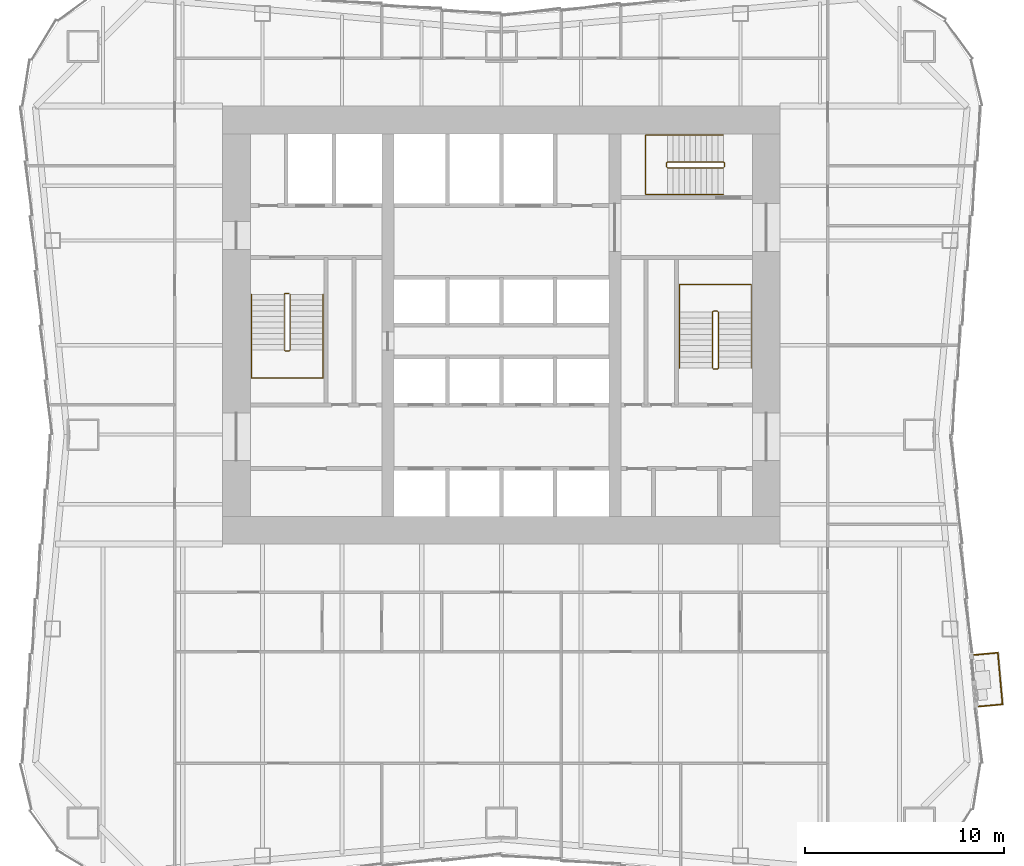
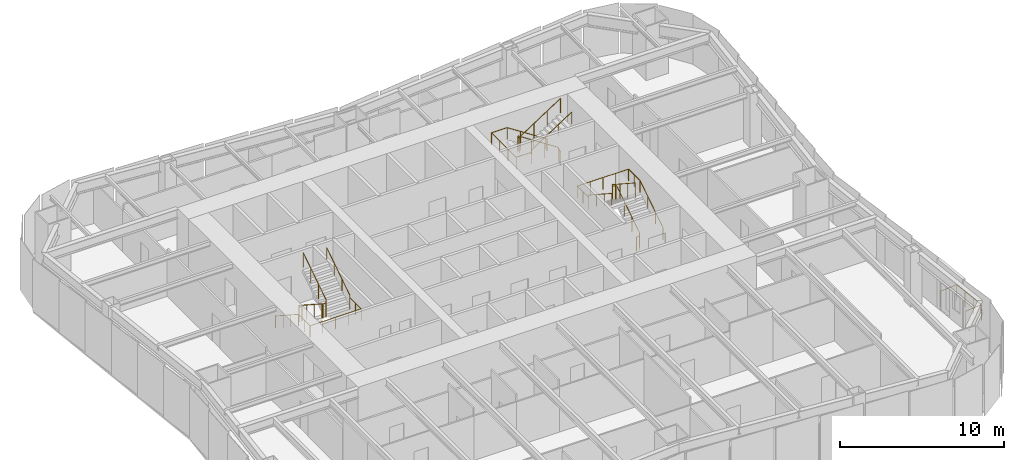
# One storey, part 8 of 9: 7 railings.
"""IFC4 building model written with IfcOpenShell, lengths in metres."""

from ifc_helpers import new_model, si_unit, direction, frame, origin, origin_2d, place, context, subcontext, project, spatial, circle, extrude, material, type_object, element, save


model = new_model("IFC4")

# Units and contexts
model_context = context("Model", 3, precision=1e-05, world=origin(), true_north=direction((0.0, 1.0)))
body_context = subcontext(model_context, "Body", "Model", "MODEL_VIEW")
ifc_project = project(units=[si_unit("LENGTHUNIT", "METRE"), si_unit("AREAUNIT", "SQUARE_METRE"), si_unit("VOLUMEUNIT", "CUBIC_METRE"), si_unit("PLANEANGLEUNIT", "RADIAN"), si_unit("MASSUNIT", "GRAM", prefix="KILO")], contexts=[model_context])

# Site, building, storey
site_placement = place(None, origin())
site = spatial("IfcSite", under=ifc_project, at=site_placement, CompositionType="ELEMENT")
building_placement = place(site_placement, origin())
building = spatial("IfcBuilding", under=site, at=building_placement, Name="Verdant Reach Tower", CompositionType="ELEMENT")
storey_placement = place(building_placement, frame((0.0, 0.0, 30.0)))
storey = spatial("IfcBuildingStorey", under=building, at=storey_placement, Name="L06", CompositionType="ELEMENT", Elevation=30.0)

# Railings
ifc_material_1 = material(Name="Stainless steel", Category="steel")
railing_type_1 = type_object("IfcRailingType", Name="CO-GUARD", PredefinedType="GUARDRAIL", material=ifc_material_1)
railing_1_placement = place(storey_placement, frame((-10.64990234375, 29.60009765625, 0.0)))
element("IfcRailing", 1, at=railing_1_placement, inside=storey, type_object=railing_type_1, Name="L06 ST-1 stair guard 1", PredefinedType="GUARDRAIL", context=body_context, shape_type="SweptSolid", body=[
    extrude(circle(Radius=0.02392578125, at=origin_2d()), frame((0.0, 0.0, 1.076171875), z_axis=(-1.0, 0.0, 0.0), x_axis=(0.0, -1.0, 0.0)), (0.0, 0.0, 1.0), 0.2001953125),
    extrude(circle(Radius=0.02392578125, at=origin_2d()), frame((-0.2001953125, 0.0, 1.076171875), z_axis=(-0.25526617399, -0.256517478764, 0.932222056972), x_axis=(0.708833529934, -0.705375805398, 0.0)), (0.0, 0.0, 1.0), 0.195068359375),
    extrude(circle(Radius=0.02392578125, at=origin_2d()), frame((-0.25, -0.050048828125, 1.2578125), z_axis=(0.0, -0.838705829183, 0.544584733623), x_axis=(1.0, 0.0, 0.0)), (0.0, 0.0, 1.0), 3.338623046875),
    extrude(circle(Radius=0.02392578125, at=origin_2d()), frame((-0.25, -2.85009765625, 3.076171875), z_axis=(0.705375805398, -0.708833529934, 0.0), x_axis=(0.708833529934, 0.705375805398, 0.0)), (0.0, 0.0, 1.0), 0.070556640625),
    extrude(circle(Radius=0.02392578125, at=origin_2d()), frame((-0.2001953125, -2.900146484375, 3.076171875), z_axis=(1.0, 0.0, 0.0), x_axis=(0.0, 1.0, 0.0)), (0.0, 0.0, 1.0), 0.2001953125),
    extrude(circle(Radius=0.02392578125, at=origin_2d()), frame((0.0, -2.900146484375, 3.076171875), z_axis=(0.25526617399, 0.256517478764, 0.932222056972), x_axis=(-0.708833529934, 0.705375805398, 0.0)), (0.0, 0.0, 1.0), 0.195068359375),
    extrude(circle(Radius=0.02392578125, at=origin_2d()), frame((0.0498046875, -2.85009765625, 3.2578125), z_axis=(0.0, 0.838705829183, 0.544584733623), x_axis=(-1.0, 0.0, 0.0)), (0.0, 0.0, 1.0), 3.338623046875),
    extrude(circle(Radius=0.02099609375, at=origin_2d()), origin(), (0.0, 0.0, 1.0), 1.052001953125),
    extrude(circle(Radius=0.02099609375, at=origin_2d()), frame((-0.2001953125, 0.0, 0.0)), (0.0, 0.0, 1.0), 1.052001953125),
    extrude(circle(Radius=0.02099609375, at=origin_2d()), frame((-0.25, -0.050048828125, 0.181884765625)), (0.0, 0.0, 1.0), 1.052001953125),
    extrude(circle(Radius=0.02099609375, at=origin_2d()), frame((-0.25, -0.9833984375, 0.787841796875)), (0.0, 0.0, 1.0), 1.052001953125),
    extrude(circle(Radius=0.02099609375, at=origin_2d()), frame((-0.25, -1.916748046875, 1.39404296875)), (0.0, 0.0, 1.0), 1.052001953125),
    extrude(circle(Radius=0.02099609375, at=origin_2d()), frame((-0.25, -2.85009765625, 2.0)), (0.0, 0.0, 1.0), 1.052001953125),
    extrude(circle(Radius=0.02099609375, at=origin_2d()), frame((-0.2001953125, -2.900146484375, 2.0)), (0.0, 0.0, 1.0), 1.052001953125),
    extrude(circle(Radius=0.02099609375, at=origin_2d()), frame((0.0, -2.900146484375, 2.0)), (0.0, 0.0, 1.0), 1.052001953125),
    extrude(circle(Radius=0.02099609375, at=origin_2d()), frame((0.0498046875, -2.85009765625, 2.181884765625)), (0.0, 0.0, 1.0), 1.052001953125),
    extrude(circle(Radius=0.02099609375, at=origin_2d()), frame((0.0498046875, -1.916748046875, 2.787841796875)), (0.0, 0.0, 1.0), 1.052001953125),
    extrude(circle(Radius=0.02099609375, at=origin_2d()), frame((0.0498046875, -0.9833984375, 3.39404296875)), (0.0, 0.0, 1.0), 1.052001953125),
    extrude(circle(Radius=0.02099609375, at=origin_2d()), frame((0.0498046875, -0.050048828125, 4.0)), (0.0, 0.0, 1.0), 1.052001953125),
])
railing_2_placement = place(storey_placement, frame((10.64990234375, 25.800048828125, 0.0)))
element("IfcRailing", 2, at=railing_2_placement, inside=storey, type_object=railing_type_1, Name="L06 ST-2 stair guard 1", PredefinedType="GUARDRAIL", context=body_context, shape_type="SweptSolid", body=[
    extrude(circle(Radius=0.02392578125, at=origin_2d()), frame((0.0, 0.0, 1.076171875), z_axis=(1.0, 0.0, 0.0), x_axis=(0.0, 1.0, 0.0)), (0.0, 0.0, 1.0), 0.2001953125),
    extrude(circle(Radius=0.02392578125, at=origin_2d()), frame((0.2001953125, 0.0, 1.076171875), z_axis=(0.25526617399, 0.256517478764, 0.932222056972), x_axis=(-0.708833529934, 0.705375805398, 0.0)), (0.0, 0.0, 1.0), 0.195068359375),
    extrude(circle(Radius=0.02392578125, at=origin_2d()), frame((0.25, 0.050048828125, 1.2578125), z_axis=(0.0, 0.83868413941, 0.544618136222), x_axis=(-1.0, 0.0, 0.0)), (0.0, 0.0, 1.0), 3.33837890625),
    extrude(circle(Radius=0.02392578125, at=origin_2d()), frame((0.25, 2.849853515625, 3.076171875), z_axis=(-0.705375805398, 0.708833529934, 0.0), x_axis=(-0.708833529934, -0.705375805398, 0.0)), (0.0, 0.0, 1.0), 0.070556640625),
    extrude(circle(Radius=0.02392578125, at=origin_2d()), frame((0.2001953125, 2.89990234375, 3.076171875), z_axis=(-1.0, 0.0, 0.0), x_axis=(0.0, -1.0, 0.0)), (0.0, 0.0, 1.0), 0.2001953125),
    extrude(circle(Radius=0.02392578125, at=origin_2d()), frame((0.0, 2.89990234375, 3.076171875), z_axis=(-0.25526617399, -0.256517478764, 0.932222056972), x_axis=(0.708833529934, -0.705375805398, 0.0)), (0.0, 0.0, 1.0), 0.195068359375),
    extrude(circle(Radius=0.02392578125, at=origin_2d()), frame((-0.0498046875, 2.849853515625, 3.2578125), z_axis=(0.0, -0.83868413941, 0.544618136222), x_axis=(1.0, 0.0, 0.0)), (0.0, 0.0, 1.0), 3.33837890625),
    extrude(circle(Radius=0.02099609375, at=origin_2d()), origin(), (0.0, 0.0, 1.0), 1.052001953125),
    extrude(circle(Radius=0.02099609375, at=origin_2d()), frame((0.2001953125, 0.0, 0.0)), (0.0, 0.0, 1.0), 1.052001953125),
    extrude(circle(Radius=0.02099609375, at=origin_2d()), frame((0.25, 0.050048828125, 0.181884765625)), (0.0, 0.0, 1.0), 1.052001953125),
    extrude(circle(Radius=0.02099609375, at=origin_2d()), frame((0.25, 0.9833984375, 0.787841796875)), (0.0, 0.0, 1.0), 1.052001953125),
    extrude(circle(Radius=0.02099609375, at=origin_2d()), frame((0.25, 1.91650390625, 1.39404296875)), (0.0, 0.0, 1.0), 1.052001953125),
    extrude(circle(Radius=0.02099609375, at=origin_2d()), frame((0.25, 2.849853515625, 2.0)), (0.0, 0.0, 1.0), 1.052001953125),
    extrude(circle(Radius=0.02099609375, at=origin_2d()), frame((0.2001953125, 2.89990234375, 2.0)), (0.0, 0.0, 1.0), 1.052001953125),
    extrude(circle(Radius=0.02099609375, at=origin_2d()), frame((0.0, 2.89990234375, 2.0)), (0.0, 0.0, 1.0), 1.052001953125),
    extrude(circle(Radius=0.02099609375, at=origin_2d()), frame((-0.0498046875, 2.849853515625, 2.181884765625)), (0.0, 0.0, 1.0), 1.052001953125),
    extrude(circle(Radius=0.02099609375, at=origin_2d()), frame((-0.0498046875, 1.91650390625, 2.787841796875)), (0.0, 0.0, 1.0), 1.052001953125),
    extrude(circle(Radius=0.02099609375, at=origin_2d()), frame((-0.0498046875, 0.9833984375, 3.39404296875)), (0.0, 0.0, 1.0), 1.052001953125),
    extrude(circle(Radius=0.02099609375, at=origin_2d()), frame((-0.0498046875, 0.050048828125, 4.0)), (0.0, 0.0, 1.0), 1.052001953125),
])
railing_3_placement = place(storey_placement, frame((11.199951171875, 35.949951171875, 0.0)))
element("IfcRailing", 3, at=railing_3_placement, inside=storey, type_object=railing_type_1, Name="L06 ST-3 stair guard 1", PredefinedType="GUARDRAIL", context=body_context, shape_type="SweptSolid", body=[
    extrude(circle(Radius=0.02392578125, at=origin_2d()), frame((0.0, 0.0, 1.076171875), z_axis=(0.0, 1.0, 0.0), x_axis=(-1.0, 0.0, 0.0)), (0.0, 0.0, 1.0), 0.199951171875),
    extrude(circle(Radius=0.02392578125, at=origin_2d()), frame((0.0, 0.199951171875, 1.076171875), z_axis=(-0.256435381639, 0.256435381639, 0.931923704005), x_axis=(-0.707106781187, -0.707106781187, 0.0)), (0.0, 0.0, 1.0), 0.195068359375),
    extrude(circle(Radius=0.02392578125, at=origin_2d()), frame((-0.050048828125, 0.25, 1.2578125), z_axis=(-0.83868413941, 0.0, 0.544618136222), x_axis=(0.0, -1.0, 0.0)), (0.0, 0.0, 1.0), 3.33837890625),
    extrude(circle(Radius=0.02392578125, at=origin_2d()), frame((-2.849853515625, 0.25, 3.076171875), z_axis=(-0.707106781187, -0.707106781187, 0.0), x_axis=(0.707106781187, -0.707106781187, 0.0)), (0.0, 0.0, 1.0), 0.07080078125),
    extrude(circle(Radius=0.02392578125, at=origin_2d()), frame((-2.89990234375, 0.199951171875, 3.076171875), z_axis=(0.0, -1.0, 0.0), x_axis=(1.0, 0.0, 0.0)), (0.0, 0.0, 1.0), 0.199951171875),
    extrude(circle(Radius=0.02392578125, at=origin_2d()), frame((-2.89990234375, 0.0, 3.076171875), z_axis=(0.256435381639, -0.256435381639, 0.931923704005), x_axis=(0.707106781187, 0.707106781187, 0.0)), (0.0, 0.0, 1.0), 0.195068359375),
    extrude(circle(Radius=0.02392578125, at=origin_2d()), frame((-2.849853515625, -0.050048828125, 3.2578125), z_axis=(0.83868413941, 0.0, 0.544618136222), x_axis=(0.0, 1.0, 0.0)), (0.0, 0.0, 1.0), 3.33837890625),
    extrude(circle(Radius=0.02099609375, at=origin_2d()), origin(), (0.0, 0.0, 1.0), 1.052001953125),
    extrude(circle(Radius=0.02099609375, at=origin_2d()), frame((0.0, 0.199951171875, 0.0)), (0.0, 0.0, 1.0), 1.052001953125),
    extrude(circle(Radius=0.02099609375, at=origin_2d()), frame((-0.050048828125, 0.25, 0.181884765625)), (0.0, 0.0, 1.0), 1.052001953125),
    extrude(circle(Radius=0.02099609375, at=origin_2d()), frame((-0.9833984375, 0.25, 0.787841796875)), (0.0, 0.0, 1.0), 1.052001953125),
    extrude(circle(Radius=0.02099609375, at=origin_2d()), frame((-1.91650390625, 0.25, 1.39404296875)), (0.0, 0.0, 1.0), 1.052001953125),
    extrude(circle(Radius=0.02099609375, at=origin_2d()), frame((-2.849853515625, 0.25, 2.0)), (0.0, 0.0, 1.0), 1.052001953125),
    extrude(circle(Radius=0.02099609375, at=origin_2d()), frame((-2.89990234375, 0.199951171875, 2.0)), (0.0, 0.0, 1.0), 1.052001953125),
    extrude(circle(Radius=0.02099609375, at=origin_2d()), frame((-2.89990234375, 0.0, 2.0)), (0.0, 0.0, 1.0), 1.052001953125),
    extrude(circle(Radius=0.02099609375, at=origin_2d()), frame((-2.849853515625, -0.050048828125, 2.181884765625)), (0.0, 0.0, 1.0), 1.052001953125),
    extrude(circle(Radius=0.02099609375, at=origin_2d()), frame((-1.91650390625, -0.050048828125, 2.787841796875)), (0.0, 0.0, 1.0), 1.052001953125),
    extrude(circle(Radius=0.02099609375, at=origin_2d()), frame((-0.9833984375, -0.050048828125, 3.39404296875)), (0.0, 0.0, 1.0), 1.052001953125),
    extrude(circle(Radius=0.02099609375, at=origin_2d()), frame((-0.050048828125, -0.050048828125, 4.0)), (0.0, 0.0, 1.0), 1.052001953125),
])
railing_type_2 = type_object("IfcRailingType", Name="CO-HANDRAIL", PredefinedType="HANDRAIL", material=ifc_material_1)
railing_4_placement = place(storey_placement, frame((-12.550048828125, 29.550048828125, 0.181884765625)))
element("IfcRailing", 4, at=railing_4_placement, inside=storey, type_object=railing_type_2, Name="L06 ST-1 stair handrail 1", PredefinedType="HANDRAIL", context=body_context, shape_type="SweptSolid", body=[
    extrude(circle(Radius=0.02392578125, at=origin_2d()), frame((0.0, 0.0, 0.8759765625), z_axis=(0.0, -0.838705829183, 0.544584733623), x_axis=(1.0, 0.0, 0.0)), (0.0, 0.0, 1.0), 3.338623046875),
    extrude(circle(Radius=0.02392578125, at=origin_2d()), frame((0.0, -2.800048828125, 2.69384765625), z_axis=(0.0, -1.0, 0.0), x_axis=(1.0, 0.0, 0.0)), (0.0, 0.0, 1.0), 1.39990234375),
    extrude(circle(Radius=0.02392578125, at=origin_2d()), frame((0.0, -4.199951171875, 2.69384765625), z_axis=(1.0, 0.0, 0.0), x_axis=(0.0, 1.0, 0.0)), (0.0, 0.0, 1.0), 3.60009765625),
    extrude(circle(Radius=0.02392578125, at=origin_2d()), frame((3.60009765625, -4.199951171875, 2.69384765625), z_axis=(0.0, 1.0, 0.0), x_axis=(-1.0, 0.0, 0.0)), (0.0, 0.0, 1.0), 1.39990234375),
    extrude(circle(Radius=0.02392578125, at=origin_2d()), frame((3.60009765625, -2.800048828125, 2.69384765625), z_axis=(0.0, 0.0, 1.0), x_axis=(1.0, 0.0, 0.0)), (0.0, 0.0, 1.0), 0.181884765625),
    extrude(circle(Radius=0.02392578125, at=origin_2d()), frame((3.60009765625, -2.800048828125, 2.8759765625), z_axis=(0.0, 0.838705829183, 0.544584733623), x_axis=(-1.0, 0.0, 0.0)), (0.0, 0.0, 1.0), 3.338623046875),
    extrude(circle(Radius=0.02099609375, at=origin_2d()), origin(), (0.0, 0.0, 1.0), 0.851806640625),
    extrude(circle(Radius=0.02099609375, at=origin_2d()), frame((0.0, -0.933349609375, 0.60595703125)), (0.0, 0.0, 1.0), 0.851806640625),
    extrude(circle(Radius=0.02099609375, at=origin_2d()), frame((0.0, -1.86669921875, 1.212158203125)), (0.0, 0.0, 1.0), 0.851806640625),
    extrude(circle(Radius=0.02099609375, at=origin_2d()), frame((0.0, -2.800048828125, 1.818115234375)), (0.0, 0.0, 1.0), 0.851806640625),
    extrude(circle(Radius=0.02099609375, at=origin_2d()), frame((0.0, -3.5, 1.818115234375)), (0.0, 0.0, 1.0), 0.851806640625),
    extrude(circle(Radius=0.02099609375, at=origin_2d()), frame((0.0, -4.199951171875, 1.818115234375)), (0.0, 0.0, 1.0), 0.851806640625),
    extrude(circle(Radius=0.02099609375, at=origin_2d()), frame((0.89990234375, -4.199951171875, 1.818115234375)), (0.0, 0.0, 1.0), 0.851806640625),
    extrude(circle(Radius=0.02099609375, at=origin_2d()), frame((1.800048828125, -4.199951171875, 1.818115234375)), (0.0, 0.0, 1.0), 0.851806640625),
    extrude(circle(Radius=0.02099609375, at=origin_2d()), frame((2.7001953125, -4.199951171875, 1.818115234375)), (0.0, 0.0, 1.0), 0.851806640625),
    extrude(circle(Radius=0.02099609375, at=origin_2d()), frame((3.60009765625, -4.199951171875, 1.818115234375)), (0.0, 0.0, 1.0), 0.851806640625),
    extrude(circle(Radius=0.02099609375, at=origin_2d()), frame((3.60009765625, -3.5, 1.818115234375)), (0.0, 0.0, 1.0), 0.851806640625),
    extrude(circle(Radius=0.02099609375, at=origin_2d()), frame((3.60009765625, -2.800048828125, 1.818115234375)), (0.0, 0.0, 1.0), 0.851806640625),
    extrude(circle(Radius=0.02099609375, at=origin_2d()), frame((3.60009765625, -2.800048828125, 2.0)), (0.0, 0.0, 1.0), 0.851806640625),
    extrude(circle(Radius=0.02099609375, at=origin_2d()), frame((3.60009765625, -1.86669921875, 2.60595703125)), (0.0, 0.0, 1.0), 0.851806640625),
    extrude(circle(Radius=0.02099609375, at=origin_2d()), frame((3.60009765625, -0.933349609375, 3.212158203125)), (0.0, 0.0, 1.0), 0.851806640625),
    extrude(circle(Radius=0.02099609375, at=origin_2d()), frame((3.60009765625, 0.0, 3.818115234375)), (0.0, 0.0, 1.0), 0.851806640625),
])
railing_5_placement = place(storey_placement, frame((12.550048828125, 25.85009765625, 0.181884765625)))
element("IfcRailing", 5, at=railing_5_placement, inside=storey, type_object=railing_type_2, Name="L06 ST-2 stair handrail 1", PredefinedType="HANDRAIL", context=body_context, shape_type="SweptSolid", body=[
    extrude(circle(Radius=0.02392578125, at=origin_2d()), frame((0.0, 0.0, 0.8759765625), z_axis=(0.0, 0.83868413941, 0.544618136222), x_axis=(-1.0, 0.0, 0.0)), (0.0, 0.0, 1.0), 3.33837890625),
    extrude(circle(Radius=0.02392578125, at=origin_2d()), frame((0.0, 2.7998046875, 2.69384765625), z_axis=(0.0, 1.0, 0.0), x_axis=(-1.0, 0.0, 0.0)), (0.0, 0.0, 1.0), 1.400146484375),
    extrude(circle(Radius=0.02392578125, at=origin_2d()), frame((0.0, 4.199951171875, 2.69384765625), z_axis=(-1.0, 0.0, 0.0), x_axis=(0.0, -1.0, 0.0)), (0.0, 0.0, 1.0), 3.60009765625),
    extrude(circle(Radius=0.02392578125, at=origin_2d()), frame((-3.60009765625, 4.199951171875, 2.69384765625), z_axis=(0.0, -1.0, 0.0), x_axis=(1.0, 0.0, 0.0)), (0.0, 0.0, 1.0), 1.400146484375),
    extrude(circle(Radius=0.02392578125, at=origin_2d()), frame((-3.60009765625, 2.7998046875, 2.69384765625), z_axis=(0.0, 0.0, 1.0), x_axis=(1.0, 0.0, 0.0)), (0.0, 0.0, 1.0), 0.181884765625),
    extrude(circle(Radius=0.02392578125, at=origin_2d()), frame((-3.60009765625, 2.7998046875, 2.8759765625), z_axis=(0.0, -0.83868413941, 0.544618136222), x_axis=(1.0, 0.0, 0.0)), (0.0, 0.0, 1.0), 3.33837890625),
    extrude(circle(Radius=0.02099609375, at=origin_2d()), origin(), (0.0, 0.0, 1.0), 0.851806640625),
    extrude(circle(Radius=0.02099609375, at=origin_2d()), frame((0.0, 0.933349609375, 0.60595703125)), (0.0, 0.0, 1.0), 0.851806640625),
    extrude(circle(Radius=0.02099609375, at=origin_2d()), frame((0.0, 1.866455078125, 1.212158203125)), (0.0, 0.0, 1.0), 0.851806640625),
    extrude(circle(Radius=0.02099609375, at=origin_2d()), frame((0.0, 2.7998046875, 1.818115234375)), (0.0, 0.0, 1.0), 0.851806640625),
    extrude(circle(Radius=0.02099609375, at=origin_2d()), frame((0.0, 3.5, 1.818115234375)), (0.0, 0.0, 1.0), 0.851806640625),
    extrude(circle(Radius=0.02099609375, at=origin_2d()), frame((0.0, 4.199951171875, 1.818115234375)), (0.0, 0.0, 1.0), 0.851806640625),
    extrude(circle(Radius=0.02099609375, at=origin_2d()), frame((-0.89990234375, 4.199951171875, 1.818115234375)), (0.0, 0.0, 1.0), 0.851806640625),
    extrude(circle(Radius=0.02099609375, at=origin_2d()), frame((-1.800048828125, 4.199951171875, 1.818115234375)), (0.0, 0.0, 1.0), 0.851806640625),
    extrude(circle(Radius=0.02099609375, at=origin_2d()), frame((-2.7001953125, 4.199951171875, 1.818115234375)), (0.0, 0.0, 1.0), 0.851806640625),
    extrude(circle(Radius=0.02099609375, at=origin_2d()), frame((-3.60009765625, 4.199951171875, 1.818115234375)), (0.0, 0.0, 1.0), 0.851806640625),
    extrude(circle(Radius=0.02099609375, at=origin_2d()), frame((-3.60009765625, 3.5, 1.818115234375)), (0.0, 0.0, 1.0), 0.851806640625),
    extrude(circle(Radius=0.02099609375, at=origin_2d()), frame((-3.60009765625, 2.7998046875, 1.818115234375)), (0.0, 0.0, 1.0), 0.851806640625),
    extrude(circle(Radius=0.02099609375, at=origin_2d()), frame((-3.60009765625, 2.7998046875, 2.0)), (0.0, 0.0, 1.0), 0.851806640625),
    extrude(circle(Radius=0.02099609375, at=origin_2d()), frame((-3.60009765625, 1.866455078125, 2.60595703125)), (0.0, 0.0, 1.0), 0.851806640625),
    extrude(circle(Radius=0.02099609375, at=origin_2d()), frame((-3.60009765625, 0.933349609375, 3.212158203125)), (0.0, 0.0, 1.0), 0.851806640625),
    extrude(circle(Radius=0.02099609375, at=origin_2d()), frame((-3.60009765625, 0.0, 3.818115234375)), (0.0, 0.0, 1.0), 0.851806640625),
])
railing_6_placement = place(storey_placement, frame((11.14990234375, 37.550048828125, 0.181884765625)))
element("IfcRailing", 6, at=railing_6_placement, inside=storey, type_object=railing_type_2, Name="L06 ST-3 stair handrail 1", PredefinedType="HANDRAIL", context=body_context, shape_type="SweptSolid", body=[
    extrude(circle(Radius=0.02392578125, at=origin_2d()), frame((0.0, 0.0, 0.8759765625), z_axis=(-0.83868413941, 0.0, 0.544618136222), x_axis=(0.0, -1.0, 0.0)), (0.0, 0.0, 1.0), 3.33837890625),
    extrude(circle(Radius=0.02392578125, at=origin_2d()), frame((-2.7998046875, 0.0, 2.69384765625), z_axis=(-1.0, 0.0, 0.0), x_axis=(0.0, -1.0, 0.0)), (0.0, 0.0, 1.0), 1.10009765625),
    extrude(circle(Radius=0.02392578125, at=origin_2d()), frame((-3.89990234375, 0.0, 2.69384765625), z_axis=(0.0, -1.0, 0.0), x_axis=(1.0, 0.0, 0.0)), (0.0, 0.0, 1.0), 3.0),
    extrude(circle(Radius=0.02392578125, at=origin_2d()), frame((-3.89990234375, -3.0, 2.69384765625), z_axis=(1.0, 0.0, 0.0), x_axis=(0.0, 1.0, 0.0)), (0.0, 0.0, 1.0), 1.10009765625),
    extrude(circle(Radius=0.02392578125, at=origin_2d()), frame((-2.7998046875, -3.0, 2.69384765625), z_axis=(0.0, 0.0, 1.0), x_axis=(1.0, 0.0, 0.0)), (0.0, 0.0, 1.0), 0.181884765625),
    extrude(circle(Radius=0.02392578125, at=origin_2d()), frame((-2.7998046875, -3.0, 2.8759765625), z_axis=(0.83868413941, 0.0, 0.544618136222), x_axis=(0.0, 1.0, 0.0)), (0.0, 0.0, 1.0), 3.33837890625),
    extrude(circle(Radius=0.02099609375, at=origin_2d()), origin(), (0.0, 0.0, 1.0), 0.851806640625),
    extrude(circle(Radius=0.02099609375, at=origin_2d()), frame((-0.933349609375, 0.0, 0.60595703125)), (0.0, 0.0, 1.0), 0.851806640625),
    extrude(circle(Radius=0.02099609375, at=origin_2d()), frame((-1.866455078125, 0.0, 1.212158203125)), (0.0, 0.0, 1.0), 0.851806640625),
    extrude(circle(Radius=0.02099609375, at=origin_2d()), frame((-2.7998046875, 0.0, 1.818115234375)), (0.0, 0.0, 1.0), 0.851806640625),
    extrude(circle(Radius=0.02099609375, at=origin_2d()), frame((-3.89990234375, 0.0, 1.818115234375)), (0.0, 0.0, 1.0), 0.851806640625),
    extrude(circle(Radius=0.02099609375, at=origin_2d()), frame((-3.89990234375, -1.0, 1.818115234375)), (0.0, 0.0, 1.0), 0.851806640625),
    extrude(circle(Radius=0.02099609375, at=origin_2d()), frame((-3.89990234375, -2.0, 1.818115234375)), (0.0, 0.0, 1.0), 0.851806640625),
    extrude(circle(Radius=0.02099609375, at=origin_2d()), frame((-3.89990234375, -3.0, 1.818115234375)), (0.0, 0.0, 1.0), 0.851806640625),
    extrude(circle(Radius=0.02099609375, at=origin_2d()), frame((-2.7998046875, -3.0, 1.818115234375)), (0.0, 0.0, 1.0), 0.851806640625),
    extrude(circle(Radius=0.02099609375, at=origin_2d()), frame((-2.7998046875, -3.0, 2.0)), (0.0, 0.0, 1.0), 0.851806640625),
    extrude(circle(Radius=0.02099609375, at=origin_2d()), frame((-1.866455078125, -3.0, 2.60595703125)), (0.0, 0.0, 1.0), 0.851806640625),
    extrude(circle(Radius=0.02099609375, at=origin_2d()), frame((-0.933349609375, -3.0, 3.212158203125)), (0.0, 0.0, 1.0), 0.851806640625),
    extrude(circle(Radius=0.02099609375, at=origin_2d()), frame((0.0, -3.0, 3.818115234375)), (0.0, 0.0, 1.0), 0.851806640625),
])
ifc_material_2 = material(Name="Stainless steel and laminated glass balustrade", Category="steel")
railing_type_3 = type_object("IfcRailingType", Name="EN-RAILING BALCONY", PredefinedType="GUARDRAIL", material=ifc_material_2)
railing_7_placement = place(storey_placement, frame((23.971923828125, 8.8505859375, 0.0)))
element("IfcRailing", 7, at=railing_7_placement, inside=storey, type_object=railing_type_3, Name="Balcony guard 1, L06", PredefinedType="GUARDRAIL", context=body_context, shape_type="SweptSolid", body=[
    extrude(circle(Radius=0.02490234375, at=origin_2d()), frame((0.0, 0.0, 1.1748046875), z_axis=(0.995893206468, 0.090535746043, 0.0), x_axis=(-0.090535746043, 0.995893206468, 0.0)), (0.0, 0.0, 1.0), 1.199951171875),
    extrude(circle(Radius=0.02490234375, at=origin_2d()), frame((1.195068359375, 0.108642578125, 1.1748046875), z_axis=(-0.090569595155, 0.995890128696, 0.0), x_axis=(-0.995890128696, -0.090569595155, 0.0)), (0.0, 0.0, 1.0), 2.601318359375),
    extrude(circle(Radius=0.02490234375, at=origin_2d()), frame((0.95947265625, 2.69921875, 1.1748046875), z_axis=(-0.995893206468, -0.090535746043, 0.0), x_axis=(0.090535746043, -0.995893206468, 0.0)), (0.0, 0.0, 1.0), 1.199951171875),
    extrude(circle(Radius=0.02490234375, at=origin_2d()), origin(), (0.0, 0.0, 1.0), 1.14990234375),
    extrude(circle(Radius=0.02490234375, at=origin_2d()), frame((1.195068359375, 0.108642578125, 0.0)), (0.0, 0.0, 1.0), 1.14990234375),
    extrude(circle(Radius=0.02490234375, at=origin_2d()), frame((1.116455078125, 0.97216796875, 0.0)), (0.0, 0.0, 1.0), 1.14990234375),
    extrude(circle(Radius=0.02490234375, at=origin_2d()), frame((1.0380859375, 1.835693359375, 0.0)), (0.0, 0.0, 1.0), 1.14990234375),
    extrude(circle(Radius=0.02490234375, at=origin_2d()), frame((0.95947265625, 2.69921875, 0.0)), (0.0, 0.0, 1.0), 1.14990234375),
    extrude(circle(Radius=0.02490234375, at=origin_2d()), frame((-0.235595703125, 2.590576171875, 0.0)), (0.0, 0.0, 1.0), 1.14990234375),
])

save(model, "model.ifc")
